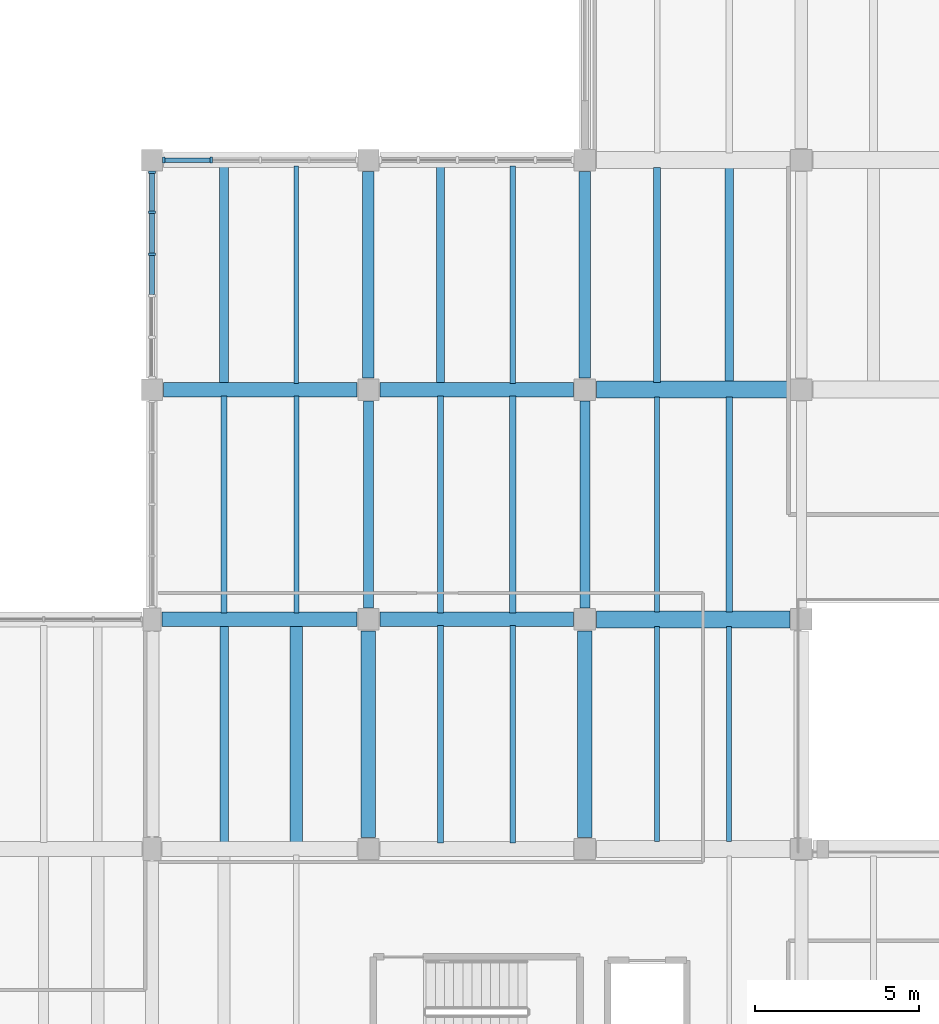
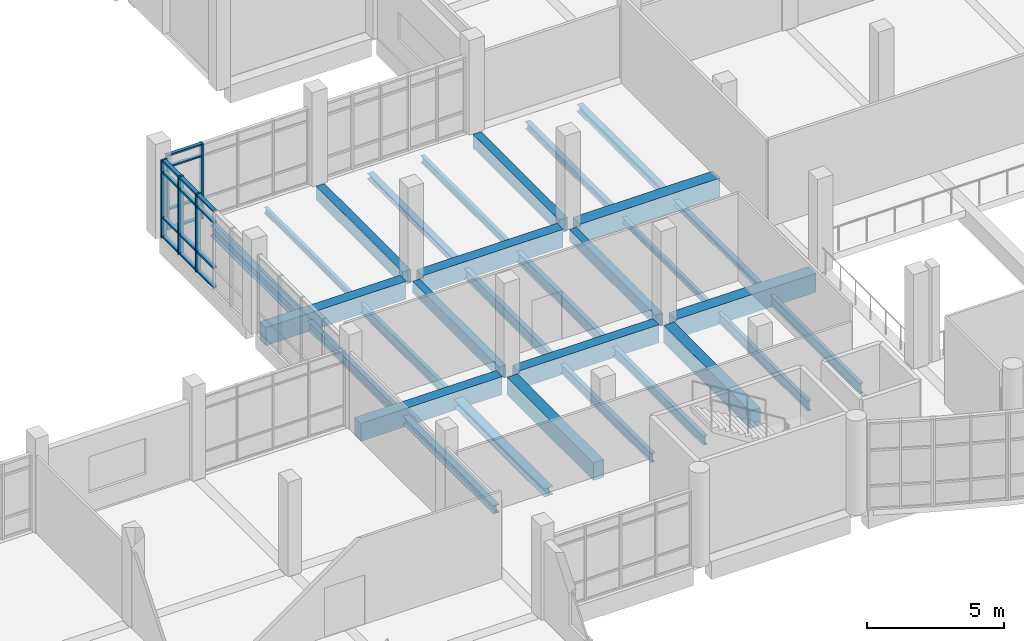
# One storey, part 8 of 68: 30 beams, 21 members, 2 elements without a shape of their own.
"""IFC4 building model written with IfcOpenShell, lengths in metres."""

from ifc_helpers import new_model, si_unit, direction, frame, origin, origin_2d, place, context, subcontext, project, spatial, rectangle, i_section, extrude, material, material_profile, profile_set, type_object, element, aggregate, save


model = new_model("IFC4")

# Units and contexts
model_context = context("Model", 3, precision=1e-05, world=origin(), true_north=direction((0.0, 1.0)))
body_context = subcontext(model_context, "Body", "Model", "MODEL_VIEW")
ifc_project = project(units=[si_unit("LENGTHUNIT", "METRE"), si_unit("AREAUNIT", "SQUARE_METRE"), si_unit("VOLUMEUNIT", "CUBIC_METRE"), si_unit("PLANEANGLEUNIT", "RADIAN"), si_unit("MASSUNIT", "GRAM", prefix="KILO")], contexts=[model_context])

# Site, building, storey
site_placement = place(None, origin())
site = spatial("IfcSite", under=ifc_project, at=site_placement, CompositionType="ELEMENT")
building_placement = place(site_placement, origin())
building = spatial("IfcBuilding", under=site, at=building_placement, Name="Ciguamira Faculty of Natural Sciences", CompositionType="ELEMENT")
storey_placement = place(building_placement, frame((0.0, 0.0, 4.199951171875)))
storey = spatial("IfcBuildingStorey", under=building, at=storey_placement, Name="L01", CompositionType="ELEMENT", Elevation=4.199951171875)

# Curtain wall, members
ifc_material_1 = material(Name="Anodized aluminium curtain wall", Category="aluminium")
curtain_wall_type_1 = type_object("IfcCurtainWallType", Name="CurtainWall_CW-08", PredefinedType="USERDEFINED", material=ifc_material_1)
curtain_wall_1_placement = place(storey_placement, origin())
curtain_wall_1 = element("IfcCurtainWall", 1, at=curtain_wall_1_placement, inside=storey, type_object=curtain_wall_type_1, Name="L01 unitised curtain wall 0032", ObjectType="UNITISED CURTAIN WALL", PredefinedType="USERDEFINED")
ifc_material_2 = material(Name="Anodized aluminium mullion", Category="aluminium")
ifc_material_profile_1 = material_profile(ifc_material_2, rectangle(XDim=0.070068359375, YDim=0.179931640625, at=origin_2d()), Name="ALU-MUL-70X180")
ifc_profile_set_1 = profile_set([ifc_material_profile_1], Name="Anodized aluminium mullion")
member_type_1 = type_object("IfcMemberType", Name="CWMullion_CWM-02", PredefinedType="MULLION", material=ifc_profile_set_1)
member_1_placement = place(storey_placement, frame((51.06005859375, 38.0, 0.0), z_axis=(0.0, 0.0, 1.0), x_axis=(1.0, 0.0, 0.0)))
member_1 = element("IfcMember", 2, at=member_1_placement, type_object=member_type_1, Name="CW-08 mullion 1", PredefinedType="MULLION", context=body_context, shape_type="SweptSolid", body=[
    extrude(rectangle(XDim=0.070068359375, YDim=0.179931640625, at=origin_2d()), origin(), (0.0, 0.0, 1.0), 3.344970703125),
])
member_2_placement = place(storey_placement, frame((52.512451171875, 38.0, 0.0), z_axis=(0.0, 0.0, 1.0), x_axis=(1.0, 0.0, 0.0)))
member_2 = element("IfcMember", 3, at=member_2_placement, type_object=member_type_1, Name="CW-08 mullion 2", PredefinedType="MULLION", context=body_context, shape_type="SweptSolid", body=[
    extrude(rectangle(XDim=0.070068359375, YDim=0.179931640625, at=origin_2d()), origin(), (0.0, 0.0, 1.0), 3.344970703125),
])

curtain_wall_type_2 = type_object("IfcCurtainWallType", Name="CurtainWall_CW-03", PredefinedType="USERDEFINED", material=ifc_material_1)
curtain_wall_2_placement = place(storey_placement, origin())
curtain_wall_2 = element("IfcCurtainWall", 4, at=curtain_wall_2_placement, inside=storey, type_object=curtain_wall_type_2, Name="L01 unitised curtain wall 0051", ObjectType="UNITISED CURTAIN WALL", PredefinedType="USERDEFINED")
ifc_material_profile_2 = material_profile(ifc_material_2, rectangle(XDim=0.080078125, YDim=0.219970703125, at=origin_2d()), Name="ALU-MUL-80X220")
ifc_profile_set_2 = profile_set([ifc_material_profile_2], Name="Anodized aluminium mullion")
member_type_2 = type_object("IfcMemberType", Name="CWMullion_CWM-03", PredefinedType="MULLION", material=ifc_profile_set_2)
member_3_placement = place(storey_placement, frame((50.699951171875, 35.135009765625, 0.0), z_axis=(0.0, 0.0, 1.0), x_axis=(0.0, 1.0, 0.0)))
member_3 = element("IfcMember", 5, at=member_3_placement, type_object=member_type_2, Name="CW-03 mullion 4", PredefinedType="MULLION", context=body_context, shape_type="SweptSolid", body=[
    extrude(rectangle(XDim=0.080078125, YDim=0.219970703125, at=origin_2d()), origin(), (0.0, 0.0, 1.0), 3.465087890625),
])
member_4_placement = place(storey_placement, frame((50.699951171875, 36.405029296875, 0.0), z_axis=(0.0, 0.0, 1.0), x_axis=(0.0, 1.0, 0.0)))
member_4 = element("IfcMember", 6, at=member_4_placement, type_object=member_type_2, Name="CW-03 mullion 5", PredefinedType="MULLION", context=body_context, shape_type="SweptSolid", body=[
    extrude(rectangle(XDim=0.080078125, YDim=0.219970703125, at=origin_2d()), origin(), (0.0, 0.0, 1.0), 3.465087890625),
])
member_5_placement = place(storey_placement, frame((50.699951171875, 37.635009765625, 0.0), z_axis=(0.0, 0.0, 1.0), x_axis=(0.0, 1.0, 0.0)))
member_5 = element("IfcMember", 7, at=member_5_placement, type_object=member_type_2, Name="CW-03 mullion 6", PredefinedType="MULLION", context=body_context, shape_type="SweptSolid", body=[
    extrude(rectangle(XDim=0.080078125, YDim=0.219970703125, at=origin_2d()), origin(), (0.0, 0.0, 1.0), 3.465087890625),
])

# Member
ifc_material_3 = material(Name="Anodized aluminium transom", Category="aluminium")
ifc_material_profile_3 = material_profile(ifc_material_3, rectangle(XDim=0.070068359375, YDim=0.139892578125, at=origin_2d()), Name="ALU-TRN-70X140")
ifc_profile_set_3 = profile_set([ifc_material_profile_3], Name="Anodized aluminium transom")
member_type_3 = type_object("IfcMemberType", Name="CWTransom_CWT-02", PredefinedType="USERDEFINED", material=ifc_profile_set_3)
member_6_placement = place(storey_placement, frame((51.094970703125, 38.0, 0.03515625), z_axis=(1.0, 0.0, 0.0), x_axis=(0.0, 0.0, 1.0)))
member_6 = element("IfcMember", 8, at=member_6_placement, type_object=member_type_3, Name="CW-08 transom 1.1", ObjectType="TRANSOM", PredefinedType="USERDEFINED", context=body_context, shape_type="SweptSolid", body=[
    extrude(rectangle(XDim=0.070068359375, YDim=0.139892578125, at=origin_2d()), origin(), (0.0, 0.0, 1.0), 1.382568359375),
])

member_7_placement = place(storey_placement, frame((51.094970703125, 38.0, 0.900146484375), z_axis=(1.0, 0.0, 0.0), x_axis=(0.0, 0.0, 1.0)))
member_7 = element("IfcMember", 9, at=member_7_placement, type_object=member_type_3, Name="CW-08 transom 1.2", ObjectType="TRANSOM", PredefinedType="USERDEFINED", context=body_context, shape_type="SweptSolid", body=[
    extrude(rectangle(XDim=0.070068359375, YDim=0.139892578125, at=origin_2d()), origin(), (0.0, 0.0, 1.0), 1.382568359375),
])

member_8_placement = place(storey_placement, frame((51.094970703125, 38.0, 2.795166015625), z_axis=(1.0, 0.0, 0.0), x_axis=(0.0, 0.0, 1.0)))
member_8 = element("IfcMember", 10, at=member_8_placement, type_object=member_type_3, Name="CW-08 transom 1.3", ObjectType="TRANSOM", PredefinedType="USERDEFINED", context=body_context, shape_type="SweptSolid", body=[
    extrude(rectangle(XDim=0.070068359375, YDim=0.139892578125, at=origin_2d()), origin(), (0.0, 0.0, 1.0), 1.382568359375),
])

member_9_placement = place(storey_placement, frame((51.094970703125, 38.0, 3.31005859375), z_axis=(1.0, 0.0, 0.0), x_axis=(0.0, 0.0, 1.0)))
member_9 = element("IfcMember", 11, at=member_9_placement, type_object=member_type_3, Name="CW-08 transom 1.4", ObjectType="TRANSOM", PredefinedType="USERDEFINED", context=body_context, shape_type="SweptSolid", body=[
    extrude(rectangle(XDim=0.070068359375, YDim=0.139892578125, at=origin_2d()), origin(), (0.0, 0.0, 1.0), 1.382568359375),
])

aggregate(curtain_wall_1, [member_1, member_2, member_6, member_7, member_8, member_9])

ifc_material_profile_4 = material_profile(ifc_material_3, rectangle(XDim=0.080078125, YDim=0.159912109375, at=origin_2d()), Name="ALU-TRN-80X160")
ifc_profile_set_4 = profile_set([ifc_material_profile_4], Name="Anodized aluminium transom")
member_type_4 = type_object("IfcMemberType", Name="CWTransom_CWT-03", PredefinedType="USERDEFINED", material=ifc_profile_set_4)
member_10_placement = place(storey_placement, frame((50.699951171875, 33.905029296875, 0.0400390625), z_axis=(0.0, 1.0, 0.0), x_axis=(0.0, 0.0, 1.0)))
member_10 = element("IfcMember", 12, at=member_10_placement, type_object=member_type_4, Name="CW-03 transom 3.1", ObjectType="TRANSOM", PredefinedType="USERDEFINED", context=body_context, shape_type="SweptSolid", body=[
    extrude(rectangle(XDim=0.080078125, YDim=0.159912109375, at=origin_2d()), origin(), (0.0, 0.0, 1.0), 1.18994140625),
])

member_11_placement = place(storey_placement, frame((50.699951171875, 33.905029296875, 0.900146484375), z_axis=(0.0, 1.0, 0.0), x_axis=(0.0, 0.0, 1.0)))
member_11 = element("IfcMember", 13, at=member_11_placement, type_object=member_type_4, Name="CW-03 transom 3.2", ObjectType="TRANSOM", PredefinedType="USERDEFINED", context=body_context, shape_type="SweptSolid", body=[
    extrude(rectangle(XDim=0.080078125, YDim=0.159912109375, at=origin_2d()), origin(), (0.0, 0.0, 1.0), 1.18994140625),
])

member_12_placement = place(storey_placement, frame((50.699951171875, 33.905029296875, 2.9150390625), z_axis=(0.0, 1.0, 0.0), x_axis=(0.0, 0.0, 1.0)))
member_12 = element("IfcMember", 14, at=member_12_placement, type_object=member_type_4, Name="CW-03 transom 3.3", ObjectType="TRANSOM", PredefinedType="USERDEFINED", context=body_context, shape_type="SweptSolid", body=[
    extrude(rectangle(XDim=0.080078125, YDim=0.159912109375, at=origin_2d()), origin(), (0.0, 0.0, 1.0), 1.18994140625),
])

member_13_placement = place(storey_placement, frame((50.699951171875, 33.905029296875, 3.425048828125), z_axis=(0.0, 1.0, 0.0), x_axis=(0.0, 0.0, 1.0)))
member_13 = element("IfcMember", 15, at=member_13_placement, type_object=member_type_4, Name="CW-03 transom 3.4", ObjectType="TRANSOM", PredefinedType="USERDEFINED", context=body_context, shape_type="SweptSolid", body=[
    extrude(rectangle(XDim=0.080078125, YDim=0.159912109375, at=origin_2d()), origin(), (0.0, 0.0, 1.0), 1.18994140625),
])

member_14_placement = place(storey_placement, frame((50.699951171875, 35.175048828125, 0.0400390625), z_axis=(0.0, 1.0, 0.0), x_axis=(0.0, 0.0, 1.0)))
member_14 = element("IfcMember", 16, at=member_14_placement, type_object=member_type_4, Name="CW-03 transom 4.1", ObjectType="TRANSOM", PredefinedType="USERDEFINED", context=body_context, shape_type="SweptSolid", body=[
    extrude(rectangle(XDim=0.080078125, YDim=0.159912109375, at=origin_2d()), origin(), (0.0, 0.0, 1.0), 1.18994140625),
])

member_15_placement = place(storey_placement, frame((50.699951171875, 35.175048828125, 0.900146484375), z_axis=(0.0, 1.0, 0.0), x_axis=(0.0, 0.0, 1.0)))
member_15 = element("IfcMember", 17, at=member_15_placement, type_object=member_type_4, Name="CW-03 transom 4.2", ObjectType="TRANSOM", PredefinedType="USERDEFINED", context=body_context, shape_type="SweptSolid", body=[
    extrude(rectangle(XDim=0.080078125, YDim=0.159912109375, at=origin_2d()), origin(), (0.0, 0.0, 1.0), 1.18994140625),
])

member_16_placement = place(storey_placement, frame((50.699951171875, 35.175048828125, 2.9150390625), z_axis=(0.0, 1.0, 0.0), x_axis=(0.0, 0.0, 1.0)))
member_16 = element("IfcMember", 18, at=member_16_placement, type_object=member_type_4, Name="CW-03 transom 4.3", ObjectType="TRANSOM", PredefinedType="USERDEFINED", context=body_context, shape_type="SweptSolid", body=[
    extrude(rectangle(XDim=0.080078125, YDim=0.159912109375, at=origin_2d()), origin(), (0.0, 0.0, 1.0), 1.18994140625),
])

member_17_placement = place(storey_placement, frame((50.699951171875, 35.175048828125, 3.425048828125), z_axis=(0.0, 1.0, 0.0), x_axis=(0.0, 0.0, 1.0)))
member_17 = element("IfcMember", 19, at=member_17_placement, type_object=member_type_4, Name="CW-03 transom 4.4", ObjectType="TRANSOM", PredefinedType="USERDEFINED", context=body_context, shape_type="SweptSolid", body=[
    extrude(rectangle(XDim=0.080078125, YDim=0.159912109375, at=origin_2d()), origin(), (0.0, 0.0, 1.0), 1.18994140625),
])

member_18_placement = place(storey_placement, frame((50.699951171875, 36.445068359375, 0.0400390625), z_axis=(0.0, 1.0, 0.0), x_axis=(0.0, 0.0, 1.0)))
member_18 = element("IfcMember", 20, at=member_18_placement, type_object=member_type_4, Name="CW-03 transom 5.1", ObjectType="TRANSOM", PredefinedType="USERDEFINED", context=body_context, shape_type="SweptSolid", body=[
    extrude(rectangle(XDim=0.080078125, YDim=0.159912109375, at=origin_2d()), origin(), (0.0, 0.0, 1.0), 1.14990234375),
])

member_19_placement = place(storey_placement, frame((50.699951171875, 36.445068359375, 0.900146484375), z_axis=(0.0, 1.0, 0.0), x_axis=(0.0, 0.0, 1.0)))
member_19 = element("IfcMember", 21, at=member_19_placement, type_object=member_type_4, Name="CW-03 transom 5.2", ObjectType="TRANSOM", PredefinedType="USERDEFINED", context=body_context, shape_type="SweptSolid", body=[
    extrude(rectangle(XDim=0.080078125, YDim=0.159912109375, at=origin_2d()), origin(), (0.0, 0.0, 1.0), 1.14990234375),
])

member_20_placement = place(storey_placement, frame((50.699951171875, 36.445068359375, 2.9150390625), z_axis=(0.0, 1.0, 0.0), x_axis=(0.0, 0.0, 1.0)))
member_20 = element("IfcMember", 22, at=member_20_placement, type_object=member_type_4, Name="CW-03 transom 5.3", ObjectType="TRANSOM", PredefinedType="USERDEFINED", context=body_context, shape_type="SweptSolid", body=[
    extrude(rectangle(XDim=0.080078125, YDim=0.159912109375, at=origin_2d()), origin(), (0.0, 0.0, 1.0), 1.14990234375),
])

member_21_placement = place(storey_placement, frame((50.699951171875, 36.445068359375, 3.425048828125), z_axis=(0.0, 1.0, 0.0), x_axis=(0.0, 0.0, 1.0)))
member_21 = element("IfcMember", 23, at=member_21_placement, type_object=member_type_4, Name="CW-03 transom 5.4", ObjectType="TRANSOM", PredefinedType="USERDEFINED", context=body_context, shape_type="SweptSolid", body=[
    extrude(rectangle(XDim=0.080078125, YDim=0.159912109375, at=origin_2d()), origin(), (0.0, 0.0, 1.0), 1.14990234375),
])

aggregate(curtain_wall_2, [member_3, member_4, member_5, member_10, member_11, member_12, member_13, member_14, member_15, member_16, member_17, member_18, member_19, member_20, member_21])

# Beams
ifc_material_4 = material(Name="Concrete C40/50", Category="concrete")
ifc_material_profile_5 = material_profile(ifc_material_4, rectangle(XDim=0.449951171875, YDim=0.800048828125, at=origin_2d()), Name="RC-BM-450X800")
ifc_profile_set_5 = profile_set([ifc_material_profile_5], Name="Concrete C40/50")
beam_type_1 = type_object("IfcBeamType", Name="RCBeam_BG-05_RC-BM-450X800", PredefinedType="BEAM", material=ifc_profile_set_5)
beam_1_placement = place(storey_placement, frame((51.0, 24.0, -0.39990234375), z_axis=(1.0, 0.0, 0.0), x_axis=(0.0, 1.0, 0.0)))
element("IfcBeam", 24, at=beam_1_placement, inside=storey, type_object=beam_type_1, Name="L01 RC girder EW-0422", PredefinedType="BEAM", context=body_context, shape_type="SweptSolid", body=[
    extrude(rectangle(XDim=0.449951171875, YDim=0.800048828125, at=origin_2d()), origin(), (0.0, 0.0, 1.0), 5.949951171875),
])
beam_2_placement = place(storey_placement, frame((57.64990234375, 24.0, -0.39990234375), z_axis=(1.0, 0.0, 0.0), x_axis=(0.0, 1.0, 0.0)))
element("IfcBeam", 25, at=beam_2_placement, inside=storey, type_object=beam_type_1, Name="L01 RC girder EW-0423", PredefinedType="BEAM", context=body_context, shape_type="SweptSolid", body=[
    extrude(rectangle(XDim=0.449951171875, YDim=0.800048828125, at=origin_2d()), origin(), (0.0, 0.0, 1.0), 5.900146484375),
])
beam_3_placement = place(storey_placement, frame((51.050048828125, 31.0, -0.39990234375), z_axis=(1.0, 0.0, 0.0), x_axis=(0.0, 1.0, 0.0)))
element("IfcBeam", 26, at=beam_3_placement, inside=storey, type_object=beam_type_1, Name="L01 RC girder EW-0435", PredefinedType="BEAM", context=body_context, shape_type="SweptSolid", body=[
    extrude(rectangle(XDim=0.449951171875, YDim=0.800048828125, at=origin_2d()), origin(), (0.0, 0.0, 1.0), 5.89990234375),
])
beam_4_placement = place(storey_placement, frame((57.64990234375, 31.0, -0.39990234375), z_axis=(1.0, 0.0, 0.0), x_axis=(0.0, 1.0, 0.0)))
element("IfcBeam", 27, at=beam_4_placement, inside=storey, type_object=beam_type_1, Name="L01 RC girder EW-0436", PredefinedType="BEAM", context=body_context, shape_type="SweptSolid", body=[
    extrude(rectangle(XDim=0.449951171875, YDim=0.800048828125, at=origin_2d()), origin(), (0.0, 0.0, 1.0), 5.900146484375),
])
ifc_material_profile_6 = material_profile(ifc_material_4, rectangle(XDim=0.43994140625, YDim=0.780029296875, at=origin_2d()), Name="RC-BM-440X780")
ifc_profile_set_6 = profile_set([ifc_material_profile_6], Name="Concrete C40/50")
beam_type_2 = type_object("IfcBeamType", Name="RCBeam_BG-06_RC-BM-440X780", PredefinedType="BEAM", material=ifc_profile_set_6)
for number, where, z_axis, x_axis, name in (
    (28, (57.300048828125, 17.35009765625, -0.389892578125), (0.0, 1.0, 0.0), (-1.0, 0.0, 0.0), "L01 girder NS-0571"),
    (29, (63.89990234375, 17.35009765625, -0.389892578125), (0.0, 1.0, 0.0), (-1.0, 0.0, 0.0), "L01 girder NS-0582"),
):
    element("IfcBeam", number, at=place(storey_placement, frame(where, z_axis=z_axis, x_axis=x_axis)), inside=storey, type_object=beam_type_2, Name=name, PredefinedType="BEAM", context=body_context, shape_type="SweptSolid", body=[
        extrude(rectangle(XDim=0.43994140625, YDim=0.780029296875, at=origin_2d()), origin(), (0.0, 0.0, 1.0), 6.2998046875),
    ])
ifc_material_profile_7 = material_profile(ifc_material_4, rectangle(XDim=0.35009765625, YDim=0.60009765625, at=origin_2d()), Name="RC-BM-350X600")
ifc_profile_set_7 = profile_set([ifc_material_profile_7], Name="Concrete C40/50")
beam_type_3 = type_object("IfcBeamType", Name="RCBeam_BG-11_RC-BM-350X600", PredefinedType="BEAM", material=ifc_profile_set_7)
for number, where, z_axis, x_axis, name in (
    (30, (57.300048828125, 31.35009765625, -0.300048828125), (0.0, 1.0, 0.0), (-1.0, 0.0, 0.0), "L01 girder NS-0573"),
    (31, (63.89990234375, 31.35009765625, -0.300048828125), (0.0, 1.0, 0.0), (-1.0, 0.0, 0.0), "L01 girder NS-0584"),
):
    element("IfcBeam", number, at=place(storey_placement, frame(where, z_axis=z_axis, x_axis=x_axis)), inside=storey, type_object=beam_type_3, Name=name, PredefinedType="BEAM", context=body_context, shape_type="SweptSolid", body=[
        extrude(rectangle(XDim=0.35009765625, YDim=0.60009765625, at=origin_2d()), origin(), (0.0, 0.0, 1.0), 6.2998046875),
    ])
ifc_material_profile_8 = material_profile(ifc_material_4, rectangle(XDim=0.300048828125, YDim=0.52001953125, at=origin_2d()), Name="RC-BM-300X520")
ifc_profile_set_8 = profile_set([ifc_material_profile_8], Name="Concrete C40/50")
beam_type_4 = type_object("IfcBeamType", Name="RCBeam_BG-13_RC-BM-300X520", PredefinedType="BEAM", material=ifc_profile_set_8)
for number, where, z_axis, x_axis, name in (
    (32, (57.300048828125, 24.35009765625, -0.260009765625), (0.0, 1.0, 0.0), (-1.0, 0.0, 0.0), "L01 girder NS-0572"),
    (33, (63.89990234375, 24.35009765625, -0.260009765625), (0.0, 1.0, 0.0), (-1.0, 0.0, 0.0), "L01 girder NS-0583"),
):
    element("IfcBeam", number, at=place(storey_placement, frame(where, z_axis=z_axis, x_axis=x_axis)), inside=storey, type_object=beam_type_4, Name=name, PredefinedType="BEAM", context=body_context, shape_type="SweptSolid", body=[
        extrude(rectangle(XDim=0.300048828125, YDim=0.52001953125, at=origin_2d()), origin(), (0.0, 0.0, 1.0), 6.2998046875),
    ])
ifc_material_profile_9 = material_profile(ifc_material_4, rectangle(XDim=0.52001953125, YDim=0.840087890625, at=origin_2d()), Name="RC-TB-520X840")
ifc_profile_set_9 = profile_set([ifc_material_profile_9], Name="Concrete C40/50")
beam_type_5 = type_object("IfcBeamType", Name="RCBeam_TB-02_RC-TB-520X840", PredefinedType="T_BEAM", material=ifc_profile_set_9)
for number, where, z_axis, x_axis, name in (
    (34, (64.25, 24.0, -0.419921875), (1.0, 0.0, 0.0), (0.0, 1.0, 0.0), "L01 RC girder EW-0424"),
    (35, (64.25, 31.0, -0.419921875), (1.0, 0.0, 0.0), (0.0, 1.0, 0.0), "L01 RC girder EW-0437"),
):
    element("IfcBeam", number, at=place(storey_placement, frame(where, z_axis=z_axis, x_axis=x_axis)), inside=storey, type_object=beam_type_5, Name=name, PredefinedType="T_BEAM", context=body_context, shape_type="SweptSolid", body=[
        extrude(rectangle(XDim=0.52001953125, YDim=0.840087890625, at=origin_2d()), origin(), (0.0, 0.0, 1.0), 5.89990234375),
    ])
ifc_material_5 = material(Name="Steel ASTM A992 Grade 50", Category="steel")
ifc_material_profile_10 = material_profile(ifc_material_5, i_section(OverallWidth=0.14599609375, OverallDepth=0.259033203125, WebThickness=0.006103515625, FlangeThickness=0.009033203125, at=origin_2d()), Name="W10X22")
ifc_profile_set_10 = profile_set([ifc_material_profile_10], Name="Steel ASTM A992 Grade 50")
beam_type_6 = type_object("IfcBeamType", Name="SteelJoist_SJ-01_W10X22", PredefinedType="JOIST", material=ifc_profile_set_10)
beam_5_placement = place(storey_placement, frame((55.10009765625, 31.18505859375, -0.429443359375), z_axis=(0.0, 1.0, 0.0), x_axis=(-1.0, 0.0, 0.0)))
element("IfcBeam", 36, at=beam_5_placement, inside=storey, type_object=beam_type_6, Name="L01 composite steel joist 00386", PredefinedType="JOIST", context=body_context, shape_type="SweptSolid", body=[
    extrude(i_section(OverallWidth=0.14599609375, OverallDepth=0.259033203125, WebThickness=0.006103515625, FlangeThickness=0.009033203125, at=origin_2d()), origin(), (0.0, 0.0, 1.0), 6.6298828125),
])
beam_6_placement = place(storey_placement, frame((66.10009765625, 24.219970703125, -0.429443359375), z_axis=(0.0, 1.0, 0.0), x_axis=(-1.0, 0.0, 0.0)))
element("IfcBeam", 37, at=beam_6_placement, inside=storey, type_object=beam_type_6, Name="L01 composite steel joist 00417", PredefinedType="JOIST", context=body_context, shape_type="SweptSolid", body=[
    extrude(i_section(OverallWidth=0.14599609375, OverallDepth=0.259033203125, WebThickness=0.006103515625, FlangeThickness=0.009033203125, at=origin_2d()), origin(), (0.0, 0.0, 1.0), 6.56005859375),
])
ifc_material_profile_11 = material_profile(ifc_material_5, i_section(OverallWidth=0.2021484375, OverallDepth=0.2470703125, WebThickness=0.00732421875, FlangeThickness=0.010986328125, at=origin_2d()), Name="W10X33")
ifc_profile_set_11 = profile_set([ifc_material_profile_11], Name="Steel ASTM A992 Grade 50")
beam_type_7 = type_object("IfcBeamType", Name="SteelJoist_SJ-02_W10X33", PredefinedType="JOIST", material=ifc_profile_set_11)
beam_7_placement = place(storey_placement, frame((68.300048828125, 24.219970703125, -0.423583984375), z_axis=(0.0, 1.0, 0.0), x_axis=(-1.0, 0.0, 0.0)))
element("IfcBeam", 38, at=beam_7_placement, inside=storey, type_object=beam_type_7, Name="L01 composite steel joist 00418", PredefinedType="JOIST", context=body_context, shape_type="SweptSolid", body=[
    extrude(i_section(OverallWidth=0.2021484375, OverallDepth=0.2470703125, WebThickness=0.00732421875, FlangeThickness=0.010986328125, at=origin_2d()), origin(), (0.0, 0.0, 1.0), 6.56005859375),
])
ifc_material_profile_12 = material_profile(ifc_material_5, i_section(OverallWidth=0.25390625, OverallDepth=0.25390625, WebThickness=0.008544921875, FlangeThickness=0.01416015625, at=origin_2d()), Name="W10X49")
ifc_profile_set_12 = profile_set([ifc_material_profile_12], Name="Steel ASTM A992 Grade 50")
beam_type_8 = type_object("IfcBeamType", Name="SteelJoist_SJ-03_W10X49", PredefinedType="JOIST", material=ifc_profile_set_12)
beam_8_placement = place(storey_placement, frame((59.5, 31.18505859375, -0.427001953125), z_axis=(0.0, 1.0, 0.0), x_axis=(-1.0, 0.0, 0.0)))
element("IfcBeam", 39, at=beam_8_placement, inside=storey, type_object=beam_type_8, Name="L01 composite steel joist 00391", PredefinedType="JOIST", context=body_context, shape_type="SweptSolid", body=[
    extrude(i_section(OverallWidth=0.25390625, OverallDepth=0.25390625, WebThickness=0.008544921875, FlangeThickness=0.01416015625, at=origin_2d()), origin(), (0.0, 0.0, 1.0), 6.6298828125),
])
ifc_material_profile_13 = material_profile(ifc_material_5, i_section(OverallWidth=0.164794921875, OverallDepth=0.309814453125, WebThickness=0.005859375, FlangeThickness=0.009765625, at=origin_2d()), Name="W12X26")
ifc_profile_set_13 = profile_set([ifc_material_profile_13], Name="Steel ASTM A992 Grade 50")
beam_type_9 = type_object("IfcBeamType", Name="SteelJoist_SJ-04_W12X26", PredefinedType="JOIST", material=ifc_profile_set_13)
beam_9_placement = place(storey_placement, frame((61.699951171875, 31.18505859375, -0.454833984375), z_axis=(0.0, 1.0, 0.0), x_axis=(-1.0, 0.0, 0.0)))
element("IfcBeam", 40, at=beam_9_placement, inside=storey, type_object=beam_type_9, Name="L01 composite steel joist 00392", PredefinedType="JOIST", context=body_context, shape_type="SweptSolid", body=[
    extrude(i_section(OverallWidth=0.164794921875, OverallDepth=0.309814453125, WebThickness=0.005859375, FlangeThickness=0.009765625, at=origin_2d()), origin(), (0.0, 0.0, 1.0), 6.6298828125),
])
ifc_material_profile_14 = material_profile(ifc_material_5, i_section(OverallWidth=0.20458984375, OverallDepth=0.307373046875, WebThickness=0.008544921875, FlangeThickness=0.0146484375, at=origin_2d()), Name="W12X45")
ifc_profile_set_14 = profile_set([ifc_material_profile_14], Name="Steel ASTM A992 Grade 50")
beam_type_10 = type_object("IfcBeamType", Name="SteelJoist_SJ-06_W12X45", PredefinedType="JOIST", material=ifc_profile_set_14)
beam_10_placement = place(storey_placement, frame((66.10009765625, 31.219970703125, -0.45361328125), z_axis=(0.0, 1.0, 0.0), x_axis=(-1.0, 0.0, 0.0)))
element("IfcBeam", 41, at=beam_10_placement, inside=storey, type_object=beam_type_10, Name="L01 composite steel joist 00419", PredefinedType="JOIST", context=body_context, shape_type="SweptSolid", body=[
    extrude(i_section(OverallWidth=0.20458984375, OverallDepth=0.307373046875, WebThickness=0.008544921875, FlangeThickness=0.0146484375, at=origin_2d()), origin(), (0.0, 0.0, 1.0), 6.56005859375),
])
ifc_material_profile_15 = material_profile(ifc_material_5, i_section(OverallWidth=0.25390625, OverallDepth=0.307373046875, WebThickness=0.0087890625, FlangeThickness=0.0146484375, at=origin_2d()), Name="W12X53")
ifc_profile_set_15 = profile_set([ifc_material_profile_15], Name="Steel ASTM A992 Grade 50")
beam_type_11 = type_object("IfcBeamType", Name="SteelJoist_SJ-07_W12X53", PredefinedType="JOIST", material=ifc_profile_set_15)
beam_11_placement = place(storey_placement, frame((68.300048828125, 31.219970703125, -0.45361328125), z_axis=(0.0, 1.0, 0.0), x_axis=(-1.0, 0.0, 0.0)))
element("IfcBeam", 42, at=beam_11_placement, inside=storey, type_object=beam_type_11, Name="L01 composite steel joist 00420", PredefinedType="JOIST", context=body_context, shape_type="SweptSolid", body=[
    extrude(i_section(OverallWidth=0.25390625, OverallDepth=0.307373046875, WebThickness=0.0087890625, FlangeThickness=0.0146484375, at=origin_2d()), origin(), (0.0, 0.0, 1.0), 6.56005859375),
])
ifc_material_profile_16 = material_profile(ifc_material_5, i_section(OverallWidth=0.256591796875, OverallDepth=0.36328125, WebThickness=0.012939453125, FlangeThickness=0.021728515625, at=origin_2d()), Name="W14X82")
ifc_profile_set_16 = profile_set([ifc_material_profile_16], Name="Steel ASTM A992 Grade 50")
beam_type_12 = type_object("IfcBeamType", Name="SteelJoist_SJ-15_W14X82", PredefinedType="JOIST", material=ifc_profile_set_16)
beam_12_placement = place(storey_placement, frame((52.89990234375, 17.18505859375, -0.4814453125), z_axis=(0.0, 1.0, 0.0), x_axis=(-1.0, 0.0, 0.0)))
element("IfcBeam", 43, at=beam_12_placement, inside=storey, type_object=beam_type_12, Name="L01 composite steel joist 00381", PredefinedType="JOIST", context=body_context, shape_type="SweptSolid", body=[
    extrude(i_section(OverallWidth=0.256591796875, OverallDepth=0.36328125, WebThickness=0.012939453125, FlangeThickness=0.021728515625, at=origin_2d()), origin(), (0.0, 0.0, 1.0), 6.6298828125),
])
ifc_material_profile_17 = material_profile(ifc_material_5, i_section(OverallWidth=0.368408203125, OverallDepth=0.355712890625, WebThickness=0.01123046875, FlangeThickness=0.01806640625, at=origin_2d()), Name="W14X90")
ifc_profile_set_17 = profile_set([ifc_material_profile_17], Name="Steel ASTM A992 Grade 50")
beam_type_13 = type_object("IfcBeamType", Name="SteelJoist_SJ-16_W14X90", PredefinedType="JOIST", material=ifc_profile_set_17)
beam_13_placement = place(storey_placement, frame((55.10009765625, 17.18505859375, -0.477783203125), z_axis=(0.0, 1.0, 0.0), x_axis=(-1.0, 0.0, 0.0)))
element("IfcBeam", 44, at=beam_13_placement, inside=storey, type_object=beam_type_13, Name="L01 composite steel joist 00382", PredefinedType="JOIST", context=body_context, shape_type="SweptSolid", body=[
    extrude(i_section(OverallWidth=0.368408203125, OverallDepth=0.355712890625, WebThickness=0.01123046875, FlangeThickness=0.01806640625, at=origin_2d()), origin(), (0.0, 0.0, 1.0), 6.6298828125),
])
ifc_material_profile_18 = material_profile(ifc_material_5, i_section(OverallWidth=0.177490234375, OverallDepth=0.40380859375, WebThickness=0.007568359375, FlangeThickness=0.010986328125, at=origin_2d()), Name="W16X36")
ifc_profile_set_18 = profile_set([ifc_material_profile_18], Name="Steel ASTM A992 Grade 50")
beam_type_14 = type_object("IfcBeamType", Name="SteelJoist_SJ-18_W16X36", PredefinedType="JOIST", material=ifc_profile_set_18)
beam_14_placement = place(storey_placement, frame((59.5, 17.18505859375, -0.501953125), z_axis=(0.0, 1.0, 0.0), x_axis=(-1.0, 0.0, 0.0)))
element("IfcBeam", 45, at=beam_14_placement, inside=storey, type_object=beam_type_14, Name="L01 composite steel joist 00387", PredefinedType="JOIST", context=body_context, shape_type="SweptSolid", body=[
    extrude(i_section(OverallWidth=0.177490234375, OverallDepth=0.40380859375, WebThickness=0.007568359375, FlangeThickness=0.010986328125, at=origin_2d()), origin(), (0.0, 0.0, 1.0), 6.6298828125),
])
ifc_material_profile_19 = material_profile(ifc_material_5, i_section(OverallWidth=0.1787109375, OverallDepth=0.408935546875, WebThickness=0.0087890625, FlangeThickness=0.014404296875, at=origin_2d()), Name="W16X45")
ifc_profile_set_19 = profile_set([ifc_material_profile_19], Name="Steel ASTM A992 Grade 50")
beam_type_15 = type_object("IfcBeamType", Name="SteelJoist_SJ-19_W16X45", PredefinedType="JOIST", material=ifc_profile_set_19)
beam_15_placement = place(storey_placement, frame((61.699951171875, 17.18505859375, -0.50439453125), z_axis=(0.0, 1.0, 0.0), x_axis=(-1.0, 0.0, 0.0)))
element("IfcBeam", 46, at=beam_15_placement, inside=storey, type_object=beam_type_15, Name="L01 composite steel joist 00388", PredefinedType="JOIST", context=body_context, shape_type="SweptSolid", body=[
    extrude(i_section(OverallWidth=0.1787109375, OverallDepth=0.408935546875, WebThickness=0.0087890625, FlangeThickness=0.014404296875, at=origin_2d()), origin(), (0.0, 0.0, 1.0), 6.6298828125),
])
ifc_material_profile_20 = material_profile(ifc_material_5, i_section(OverallWidth=0.180908203125, OverallDepth=0.41650390625, WebThickness=0.010986328125, FlangeThickness=0.01806640625, at=origin_2d()), Name="W16X57")
ifc_profile_set_20 = profile_set([ifc_material_profile_20], Name="Steel ASTM A992 Grade 50")
beam_type_16 = type_object("IfcBeamType", Name="SteelJoist_SJ-20_W16X57", PredefinedType="JOIST", material=ifc_profile_set_20)
beam_16_placement = place(storey_placement, frame((52.89990234375, 24.18505859375, -0.50830078125), z_axis=(0.0, 1.0, 0.0), x_axis=(-1.0, 0.0, 0.0)))
element("IfcBeam", 47, at=beam_16_placement, inside=storey, type_object=beam_type_16, Name="L01 composite steel joist 00383", PredefinedType="JOIST", context=body_context, shape_type="SweptSolid", body=[
    extrude(i_section(OverallWidth=0.180908203125, OverallDepth=0.41650390625, WebThickness=0.010986328125, FlangeThickness=0.01806640625, at=origin_2d()), origin(), (0.0, 0.0, 1.0), 6.6298828125),
])
ifc_material_profile_21 = material_profile(ifc_material_5, i_section(OverallWidth=0.15234375, OverallDepth=0.449462890625, WebThickness=0.007568359375, FlangeThickness=0.0107421875, at=origin_2d()), Name="W18X35")
ifc_profile_set_21 = profile_set([ifc_material_profile_21], Name="Steel ASTM A992 Grade 50")
beam_type_17 = type_object("IfcBeamType", Name="SteelJoist_SJ-21_W18X35", PredefinedType="JOIST", material=ifc_profile_set_21)
beam_17_placement = place(storey_placement, frame((55.10009765625, 24.18505859375, -0.524658203125), z_axis=(0.0, 1.0, 0.0), x_axis=(-1.0, 0.0, 0.0)))
element("IfcBeam", 48, at=beam_17_placement, inside=storey, type_object=beam_type_17, Name="L01 composite steel joist 00384", PredefinedType="JOIST", context=body_context, shape_type="SweptSolid", body=[
    extrude(i_section(OverallWidth=0.15234375, OverallDepth=0.449462890625, WebThickness=0.007568359375, FlangeThickness=0.0107421875, at=origin_2d()), origin(), (0.0, 0.0, 1.0), 6.6298828125),
])
beam_18_placement = place(storey_placement, frame((66.10009765625, 17.219970703125, -0.524658203125), z_axis=(0.0, 1.0, 0.0), x_axis=(-1.0, 0.0, 0.0)))
element("IfcBeam", 49, at=beam_18_placement, inside=storey, type_object=beam_type_17, Name="L01 composite steel joist 00415", PredefinedType="JOIST", context=body_context, shape_type="SweptSolid", body=[
    extrude(i_section(OverallWidth=0.15234375, OverallDepth=0.449462890625, WebThickness=0.007568359375, FlangeThickness=0.0107421875, at=origin_2d()), origin(), (0.0, 0.0, 1.0), 6.56005859375),
])
ifc_material_profile_22 = material_profile(ifc_material_5, i_section(OverallWidth=0.15283203125, OverallDepth=0.45458984375, WebThickness=0.008056640625, FlangeThickness=0.013427734375, at=origin_2d()), Name="W18X40")
ifc_profile_set_22 = profile_set([ifc_material_profile_22], Name="Steel ASTM A992 Grade 50")
beam_type_18 = type_object("IfcBeamType", Name="SteelJoist_SJ-22_W18X40", PredefinedType="JOIST", material=ifc_profile_set_22)
beam_19_placement = place(storey_placement, frame((68.300048828125, 17.219970703125, -0.52734375), z_axis=(0.0, 1.0, 0.0), x_axis=(-1.0, 0.0, 0.0)))
element("IfcBeam", 50, at=beam_19_placement, inside=storey, type_object=beam_type_18, Name="L01 composite steel joist 00416", PredefinedType="JOIST", context=body_context, shape_type="SweptSolid", body=[
    extrude(i_section(OverallWidth=0.15283203125, OverallDepth=0.45458984375, WebThickness=0.008056640625, FlangeThickness=0.013427734375, at=origin_2d()), origin(), (0.0, 0.0, 1.0), 6.56005859375),
])
ifc_material_profile_23 = material_profile(ifc_material_5, i_section(OverallWidth=0.1904296875, OverallDepth=0.457275390625, WebThickness=0.009033203125, FlangeThickness=0.014404296875, at=origin_2d()), Name="W18X50")
ifc_profile_set_23 = profile_set([ifc_material_profile_23], Name="Steel ASTM A992 Grade 50")
beam_type_19 = type_object("IfcBeamType", Name="SteelJoist_SJ-23_W18X50", PredefinedType="JOIST", material=ifc_profile_set_23)
beam_20_placement = place(storey_placement, frame((59.5, 24.18505859375, -0.528564453125), z_axis=(0.0, 1.0, 0.0), x_axis=(-1.0, 0.0, 0.0)))
element("IfcBeam", 51, at=beam_20_placement, inside=storey, type_object=beam_type_19, Name="L01 composite steel joist 00389", PredefinedType="JOIST", context=body_context, shape_type="SweptSolid", body=[
    extrude(i_section(OverallWidth=0.1904296875, OverallDepth=0.457275390625, WebThickness=0.009033203125, FlangeThickness=0.014404296875, at=origin_2d()), origin(), (0.0, 0.0, 1.0), 6.6298828125),
])
ifc_material_profile_24 = material_profile(ifc_material_5, i_section(OverallWidth=0.19287109375, OverallDepth=0.46728515625, WebThickness=0.011474609375, FlangeThickness=0.01904296875, at=origin_2d()), Name="W18X65")
ifc_profile_set_24 = profile_set([ifc_material_profile_24], Name="Steel ASTM A992 Grade 50")
beam_type_20 = type_object("IfcBeamType", Name="SteelJoist_SJ-24_W18X65", PredefinedType="JOIST", material=ifc_profile_set_24)
beam_21_placement = place(storey_placement, frame((61.699951171875, 24.18505859375, -0.53369140625), z_axis=(0.0, 1.0, 0.0), x_axis=(-1.0, 0.0, 0.0)))
element("IfcBeam", 52, at=beam_21_placement, inside=storey, type_object=beam_type_20, Name="L01 composite steel joist 00390", PredefinedType="JOIST", context=body_context, shape_type="SweptSolid", body=[
    extrude(i_section(OverallWidth=0.19287109375, OverallDepth=0.46728515625, WebThickness=0.011474609375, FlangeThickness=0.01904296875, at=origin_2d()), origin(), (0.0, 0.0, 1.0), 6.6298828125),
])
ifc_material_profile_25 = material_profile(ifc_material_5, i_section(OverallWidth=0.279296875, OverallDepth=0.462158203125, WebThickness=0.0107421875, FlangeThickness=0.017333984375, at=origin_2d()), Name="W18X76")
ifc_profile_set_25 = profile_set([ifc_material_profile_25], Name="Steel ASTM A992 Grade 50")
beam_type_21 = type_object("IfcBeamType", Name="SteelJoist_SJ-25_W18X76", PredefinedType="JOIST", material=ifc_profile_set_25)
beam_22_placement = place(storey_placement, frame((52.89990234375, 31.18505859375, -0.531005859375), z_axis=(0.0, 1.0, 0.0), x_axis=(-1.0, 0.0, 0.0)))
element("IfcBeam", 53, at=beam_22_placement, inside=storey, type_object=beam_type_21, Name="L01 composite steel joist 00385", PredefinedType="JOIST", context=body_context, shape_type="SweptSolid", body=[
    extrude(i_section(OverallWidth=0.279296875, OverallDepth=0.462158203125, WebThickness=0.0107421875, FlangeThickness=0.017333984375, at=origin_2d()), origin(), (0.0, 0.0, 1.0), 6.6298828125),
])

save(model, "model.ifc")
